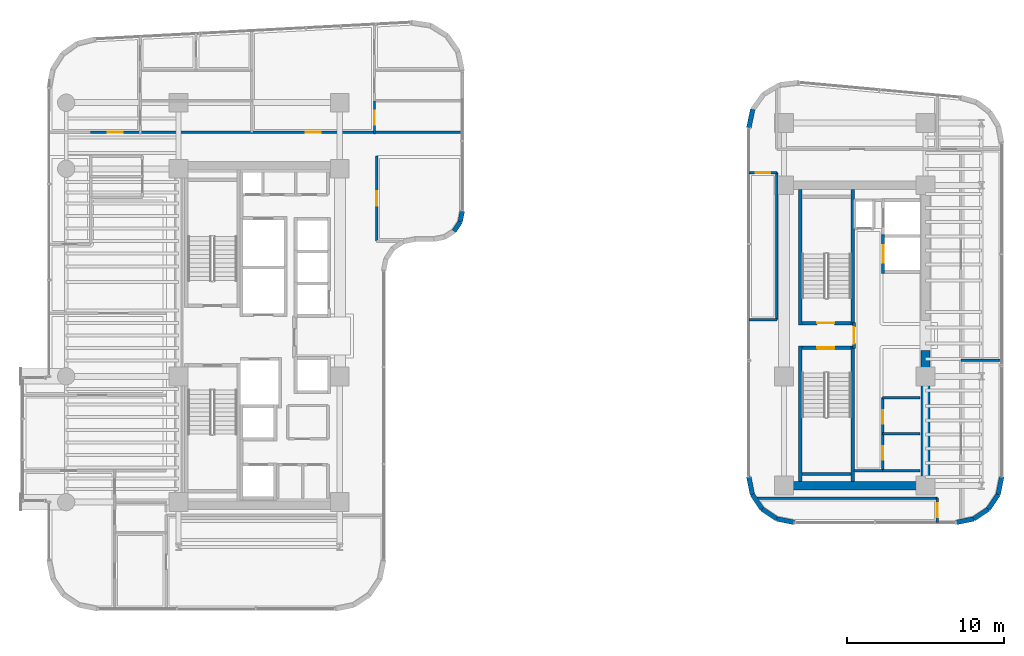
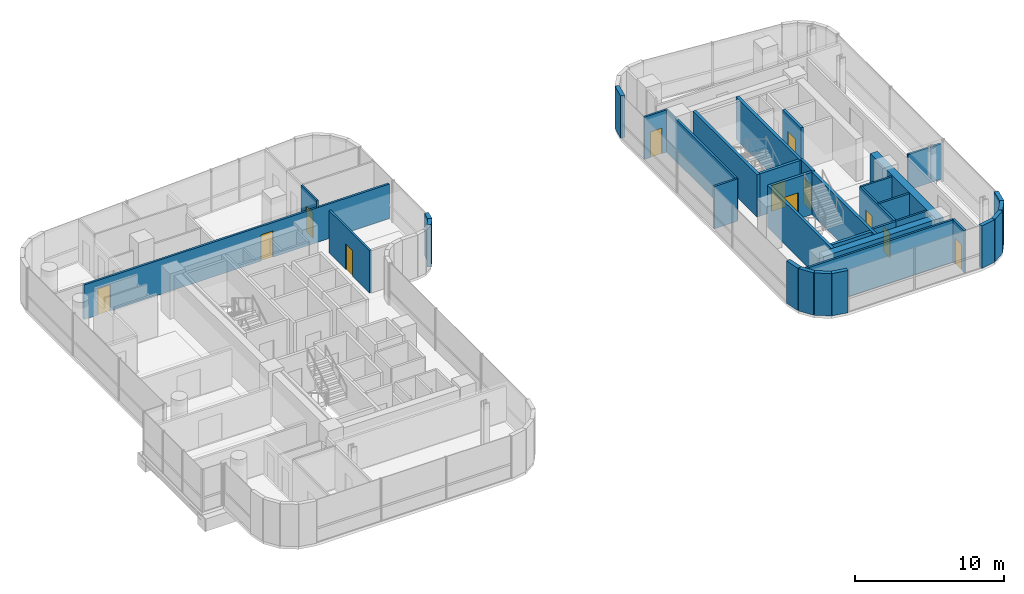
# One storey, part 28 of 34: 36 walls, 12 doors, 12 openings.
"""IFC4 building model written with IfcOpenShell, lengths in metres."""

from ifc_helpers import new_model, si_unit, direction, frame, frame_2d, origin, place, context, subcontext, project, spatial, rectangle, extrude, material, layer, layer_set, type_object, element, fill, save


model = new_model("IFC4")

# Units and contexts
model_context = context("Model", 3, precision=1e-05, world=origin(), true_north=direction((0.0, 1.0)))
body_context = subcontext(model_context, "Body", "Model", "MODEL_VIEW")
ifc_project = project(units=[si_unit("LENGTHUNIT", "METRE"), si_unit("AREAUNIT", "SQUARE_METRE"), si_unit("VOLUMEUNIT", "CUBIC_METRE"), si_unit("PLANEANGLEUNIT", "RADIAN"), si_unit("MASSUNIT", "GRAM", prefix="KILO")], contexts=[model_context])

# Site, building, storey
site_placement = place(None, origin())
site = spatial("IfcSite", under=ifc_project, at=site_placement, CompositionType="ELEMENT")
building_placement = place(site_placement, origin())
building = spatial("IfcBuilding", under=site, at=building_placement, Name="Valdorenza Pilgrim Sanctuary Tower", CompositionType="ELEMENT")
storey_placement = place(building_placement, frame((0.0, 0.0, 161.199951171875)))
storey = spatial("IfcBuildingStorey", under=building, at=storey_placement, Name="L41", CompositionType="ELEMENT", Elevation=161.199951171875)

# Wall
ifc_material_1 = material(Name="Acoustic twin-stud gypsum partition", Category="gypsum")
ifc_layer_1 = layer(ifc_material_1, 0.159912109375, Name="Acoustic twin-stud gypsum partition")
ifc_layer_set_1 = layer_set([ifc_layer_1], Name="Acoustic twin-stud gypsum partition")
wall_type_1 = type_object("IfcWallType", Name="WAL-COR-160", PredefinedType="PARTITIONING", material=ifc_layer_set_1)
wall_1_placement = place(storey_placement, frame((20.300048828125, -8.60009765625, 0.0), z_axis=(0.0, 0.0, 1.0), x_axis=(1.0, 0.0, 0.0)))
element("IfcWall", 1, at=wall_1_placement, inside=storey, type_object=wall_type_1, Name="L41 Core B Lift Hall South End Wall", PredefinedType="PARTITIONING", context=body_context, shape_type="SweptSolid", body=[
    extrude(rectangle(XDim=1.820068359375, YDim=0.159912109375, at=frame_2d((0.91015625, 0.0))), origin(), (0.0, 0.0, 1.0), 3.4599609375),
])

# Wall, openings, doors
wall_2_placement = place(storey_placement, frame((22.1201171875, -8.60009765625, 0.0), z_axis=(0.0, 0.0, 1.0), x_axis=(0.0, 1.0, 0.0)))
wall_2 = element("IfcWall", 2, at=wall_2_placement, inside=storey, type_object=wall_type_1, Name="L41 Core B Freed Shaft West Wall", PredefinedType="PARTITIONING", context=body_context, shape_type="SweptSolid", body=[
    extrude(rectangle(XDim=4.650146484375, YDim=0.159912109375, at=frame_2d((2.3251953125, 0.0))), origin(), (0.0, 0.0, 1.0), 3.4599609375),
])
opening_1_placement = place(wall_2_placement, frame((0.699951171875, 0.0, 0.0)))
opening_1 = element("IfcOpeningElement", 3, at=opening_1_placement, cuts=wall_2, Name="Opening DR-RS1", PredefinedType="OPENING", context=body_context, shape_type="SweptSolid", body=[
    extrude(rectangle(XDim=0.85009765625, YDim=2.050048828125, at=frame_2d((0.425048828125, 1.02490234375))), frame((0.0, 0.0947265625, 0.0), z_axis=(0.0, -1.0, 0.0), x_axis=(1.0, 0.0, 0.0)), (0.0, 0.0, 1.0), 0.189697265625),
])
opening_2_placement = place(wall_2_placement, frame((3.0, 0.0, 0.0)))
opening_2 = element("IfcOpeningElement", 4, at=opening_2_placement, cuts=wall_2, Name="Opening DR-RS1", PredefinedType="OPENING", context=body_context, shape_type="SweptSolid", body=[
    extrude(rectangle(XDim=0.85009765625, YDim=2.050048828125, at=frame_2d((0.425048828125, 1.02490234375))), frame((0.0, 0.0947265625, 0.0), z_axis=(0.0, -1.0, 0.0), x_axis=(1.0, 0.0, 0.0)), (0.0, 0.0, 1.0), 0.189697265625),
])
ifc_material_2 = material(Name="Painted galvanized steel", Category="steel")
door_type_1 = type_object("IfcDoorType", Name="DR-RSR-850", OperationType="NOTDEFINED", PredefinedType="DOOR", material=ifc_material_2)
door_1_placement = place(opening_1_placement, origin())
door_1 = element("IfcDoor", 5, at=door_1_placement, inside=storey, type_object=door_type_1, Name="L41 East Core Housekeeping Store Door", OperationType="SINGLE_SWING_LEFT", OverallHeight=2.050048828125, OverallWidth=0.85009765625, PredefinedType="DOOR", context=body_context, shape_type="SweptSolid", body=[
    extrude(rectangle(XDim=0.85009765625, YDim=2.050048828125, at=frame_2d((0.425048828125, 1.02490234375))), frame((0.0, 0.02490234375, 0.0), z_axis=(0.0, -1.0, 0.0), x_axis=(1.0, 0.0, 0.0)), (0.0, 0.0, 1.0), 0.050048828125),
])
fill(opening_1, door_1)
door_2_placement = place(opening_2_placement, origin())
door_2 = element("IfcDoor", 6, at=door_2_placement, inside=storey, type_object=door_type_1, Name="L41 East Core Tea Pantry Door", OperationType="SINGLE_SWING_RIGHT", OverallHeight=2.050048828125, OverallWidth=0.85009765625, PredefinedType="DOOR", context=body_context, shape_type="SweptSolid", body=[
    extrude(rectangle(XDim=0.85009765625, YDim=2.050048828125, at=frame_2d((0.425048828125, 1.02490234375))), frame((0.0, 0.02490234375, 0.0), z_axis=(0.0, -1.0, 0.0), x_axis=(1.0, 0.0, 0.0)), (0.0, 0.0, 1.0), 0.050048828125),
])
fill(opening_2, door_2)

# Wall
wall_3_placement = place(storey_placement, frame((22.1201171875, -6.25, 0.0), z_axis=(0.0, 0.0, 1.0), x_axis=(1.0, 0.0, 0.0)))
element("IfcWall", 7, at=wall_3_placement, inside=storey, type_object=wall_type_1, Name="L41 Core B Freed Split", PredefinedType="PARTITIONING", context=body_context, shape_type="SweptSolid", body=[
    extrude(rectangle(XDim=2.3798828125, YDim=0.159912109375, at=frame_2d((1.18994140625, 0.0))), origin(), (0.0, 0.0, 1.0), 3.4599609375),
])

# Wall, openings, doors
wall_4_placement = place(storey_placement, frame((-28.25, 12.919921875, 0.0), z_axis=(0.0, 0.0, 1.0), x_axis=(1.0, 0.0, 0.0)))
wall_4 = element("IfcWall", 8, at=wall_4_placement, inside=storey, type_object=wall_type_1, Name="L41 North Corridor Wall", PredefinedType="PARTITIONING", context=body_context, shape_type="SweptSolid", body=[
    extrude(rectangle(XDim=23.639892578125, YDim=0.159912109375, at=frame_2d((11.81982421875, 0.0))), origin(), (0.0, 0.0, 1.0), 2.833984375),
])
opening_3_placement = place(wall_4_placement, frame((1.10693359375, 0.0, 0.0)))
opening_3 = element("IfcOpeningElement", 9, at=opening_3_placement, cuts=wall_4, Name="Opening DR-UN1", PredefinedType="OPENING", context=body_context, shape_type="SweptSolid", body=[
    extrude(rectangle(XDim=0.949951171875, YDim=2.14990234375, at=frame_2d((0.47509765625, 1.074951171875))), frame((0.0, 0.0947265625, 0.0), z_axis=(0.0, -1.0, 0.0), x_axis=(1.0, 0.0, 0.0)), (0.0, 0.0, 1.0), 0.189697265625),
])
opening_4_placement = place(wall_4_placement, frame((13.679931640625, 0.0, 0.0)))
opening_4 = element("IfcOpeningElement", 10, at=opening_4_placement, cuts=wall_4, Name="Opening DR-UN1", PredefinedType="OPENING", context=body_context, shape_type="SweptSolid", body=[
    extrude(rectangle(XDim=0.949951171875, YDim=2.14990234375, at=frame_2d((0.47509765625, 1.074951171875))), frame((0.0, 0.0947265625, 0.0), z_axis=(0.0, -1.0, 0.0), x_axis=(1.0, 0.0, 0.0)), (0.0, 0.0, 1.0), 0.189697265625),
])
ifc_material_3 = material(Name="Solid-core European oak timber", Category="wood")
door_type_2 = type_object("IfcDoorType", Name="DR-UNIT-950", OperationType="NOTDEFINED", PredefinedType="DOOR", material=ifc_material_3)
door_3_placement = place(opening_3_placement, frame((0.949951171875, 0.0, 0.0), z_axis=(0.0, 0.0, 1.0), x_axis=(-1.0, 0.0, 0.0)))
door_3 = element("IfcDoor", 11, at=door_3_placement, inside=storey, type_object=door_type_2, Name="L41 North Family Flat L41-N1 Entrance Door", OperationType="SINGLE_SWING_LEFT", OverallHeight=2.14990234375, OverallWidth=0.949951171875, PredefinedType="DOOR", context=body_context, shape_type="SweptSolid", body=[
    extrude(rectangle(XDim=0.949951171875, YDim=2.14990234375, at=frame_2d((0.47509765625, 1.074951171875))), frame((0.0, 0.02490234375, 0.0), z_axis=(0.0, -1.0, 0.0), x_axis=(1.0, 0.0, 0.0)), (0.0, 0.0, 1.0), 0.050048828125),
])
fill(opening_3, door_3)
door_4_placement = place(opening_4_placement, origin())
door_4 = element("IfcDoor", 12, at=door_4_placement, inside=storey, type_object=door_type_2, Name="L41 North Family Flat L41-N2 Entrance Door", OperationType="SINGLE_SWING_RIGHT", OverallHeight=2.14990234375, OverallWidth=0.949951171875, PredefinedType="DOOR", context=body_context, shape_type="SweptSolid", body=[
    extrude(rectangle(XDim=0.949951171875, YDim=2.14990234375, at=frame_2d((0.47509765625, 1.074951171875))), frame((0.0, 0.02490234375, 0.0), z_axis=(0.0, -1.0, 0.0), x_axis=(1.0, 0.0, 0.0)), (0.0, 0.0, 1.0), 0.050048828125),
])
fill(opening_4, door_4)

# Wall, opening, door
wall_5_placement = place(storey_placement, frame((-10.050048828125, 6.0, 0.0), z_axis=(0.0, 0.0, 1.0), x_axis=(0.0, 1.0, 0.0)))
wall_5 = element("IfcWall", 13, at=wall_5_placement, inside=storey, type_object=wall_type_1, Name="L41 East Stub Corridor Wall", PredefinedType="PARTITIONING", context=body_context, shape_type="SweptSolid", body=[
    extrude(rectangle(XDim=5.419921875, YDim=0.159912109375, at=frame_2d((2.7099609375, 0.0))), origin(), (0.0, 0.0, 1.0), 3.4599609375),
])
opening_5_placement = place(wall_5_placement, frame((2.260009765625, 0.0, 0.0)))
opening_5 = element("IfcOpeningElement", 14, at=opening_5_placement, cuts=wall_5, Name="Opening DR-RM1", PredefinedType="OPENING", context=body_context, shape_type="SweptSolid", body=[
    extrude(rectangle(XDim=0.89990234375, YDim=2.10009765625, at=frame_2d((0.449951171875, 1.050048828125))), frame((0.0, 0.0947265625, 0.0), z_axis=(0.0, -1.0, 0.0), x_axis=(1.0, 0.0, 0.0)), (0.0, 0.0, 1.0), 0.189697265625),
])
door_type_3 = type_object("IfcDoorType", Name="DR-ROOM-900", OperationType="NOTDEFINED", PredefinedType="DOOR", material=ifc_material_3)
door_5_placement = place(opening_5_placement, origin())
door_5 = element("IfcDoor", 15, at=door_5_placement, inside=storey, type_object=door_type_3, Name="L41 Sacred Art Exhibition Gallery L41-E1 Door", OperationType="SINGLE_SWING_RIGHT", OverallHeight=2.10009765625, OverallWidth=0.89990234375, PredefinedType="DOOR", context=body_context, shape_type="SweptSolid", body=[
    extrude(rectangle(XDim=0.89990234375, YDim=2.10009765625, at=frame_2d((0.449951171875, 1.050048828125))), frame((0.0, 0.02490234375, 0.0), z_axis=(0.0, -1.0, 0.0), x_axis=(1.0, 0.0, 0.0)), (0.0, 0.0, 1.0), 0.050048828125),
])
fill(opening_5, door_5)

wall_6_placement = place(storey_placement, frame((25.60009765625, -11.889892578125, 0.0), z_axis=(0.0, 0.0, 1.0), x_axis=(0.0, 1.0, 0.0)))
wall_6 = element("IfcWall", 16, at=wall_6_placement, inside=storey, type_object=wall_type_1, Name="L41 Wing B South-East Wall", PredefinedType="PARTITIONING", context=body_context, shape_type="SweptSolid", body=[
    extrude(rectangle(XDim=1.539794921875, YDim=0.159912109375, at=frame_2d((0.77001953125, 0.0))), origin(), (0.0, 0.0, 1.0), 3.4599609375),
])
opening_6_placement = place(wall_6_placement, frame((0.320068359375, 0.0, 0.0)))
opening_6 = element("IfcOpeningElement", 17, at=opening_6_placement, cuts=wall_6, Name="Opening DR-RM1", PredefinedType="OPENING", context=body_context, shape_type="SweptSolid", body=[
    extrude(rectangle(XDim=0.89990234375, YDim=2.10009765625, at=frame_2d((0.449951171875, 1.050048828125))), frame((0.0, 0.0947265625, 0.0), z_axis=(0.0, -1.0, 0.0), x_axis=(1.0, 0.0, 0.0)), (0.0, 0.0, 1.0), 0.189697265625),
])
door_6_placement = place(opening_6_placement, origin())
door_6 = element("IfcDoor", 18, at=door_6_placement, inside=storey, type_object=door_type_3, Name="L41 Sacred Manuscript Archive L41-BS Door", OperationType="SINGLE_SWING_RIGHT", OverallHeight=2.10009765625, OverallWidth=0.89990234375, PredefinedType="DOOR", context=body_context, shape_type="SweptSolid", body=[
    extrude(rectangle(XDim=0.89990234375, YDim=2.10009765625, at=frame_2d((0.449951171875, 1.050048828125))), frame((0.0, 0.02490234375, 0.0), z_axis=(0.0, -1.0, 0.0), x_axis=(1.0, 0.0, 0.0)), (0.0, 0.0, 1.0), 0.050048828125),
])
fill(opening_6, door_6)

# Wall
wall_7_placement = place(storey_placement, frame((14.14599609375, -10.35009765625, 0.0), z_axis=(0.0, 0.0, 1.0), x_axis=(1.0, 0.0, 0.0)))
element("IfcWall", 19, at=wall_7_placement, inside=storey, type_object=wall_type_1, Name="L41 Wing B South Closure", PredefinedType="PARTITIONING", context=body_context, shape_type="SweptSolid", body=[
    extrude(rectangle(XDim=11.4541015625, YDim=0.159912109375, at=frame_2d((5.72705078125, 0.0))), origin(), (0.0, 0.0, 1.0), 3.4599609375),
])

# Wall, opening, door
wall_8_placement = place(storey_placement, frame((13.610107421875, 10.35009765625, 0.0), z_axis=(0.0, 0.0, 1.0), x_axis=(1.0, 0.0, 0.0)))
wall_8 = element("IfcWall", 20, at=wall_8_placement, inside=storey, type_object=wall_type_1, Name="L41 Courtyard Overlook North Wall", PredefinedType="PARTITIONING", context=body_context, shape_type="SweptSolid", body=[
    extrude(rectangle(XDim=1.789794921875, YDim=0.159912109375, at=frame_2d((0.89501953125, 0.0))), origin(), (0.0, 0.0, 1.0), 3.4599609375),
])
opening_7_placement = place(wall_8_placement, frame((0.449951171875, 0.0, 0.0)))
opening_7 = element("IfcOpeningElement", 21, at=opening_7_placement, cuts=wall_8, Name="Opening DR-RM1", PredefinedType="OPENING", context=body_context, shape_type="SweptSolid", body=[
    extrude(rectangle(XDim=0.89990234375, YDim=2.10009765625, at=frame_2d((0.449951171875, 1.050048828125))), frame((0.0, 0.0947265625, 0.0), z_axis=(0.0, -1.0, 0.0), x_axis=(1.0, 0.0, 0.0)), (0.0, 0.0, 1.0), 0.189697265625),
])
door_7_placement = place(opening_7_placement, origin())
door_7 = element("IfcDoor", 22, at=door_7_placement, inside=storey, type_object=door_type_3, Name="L41 Courtyard Overlook Salon Door", OperationType="SINGLE_SWING_RIGHT", OverallHeight=2.10009765625, OverallWidth=0.89990234375, PredefinedType="DOOR", context=body_context, shape_type="SweptSolid", body=[
    extrude(rectangle(XDim=0.89990234375, YDim=2.10009765625, at=frame_2d((0.449951171875, 1.050048828125))), frame((0.0, 0.02490234375, 0.0), z_axis=(0.0, -1.0, 0.0), x_axis=(1.0, 0.0, 0.0)), (0.0, 0.0, 1.0), 0.050048828125),
])
fill(opening_7, door_7)

# Walls
wall_9_placement = place(storey_placement, frame((15.39990234375, 1.0, 0.0), z_axis=(0.0, 0.0, 1.0), x_axis=(0.0, 1.0, 0.0)))
element("IfcWall", 23, at=wall_9_placement, inside=storey, type_object=wall_type_1, Name="L41 Courtyard Overlook East Wall", PredefinedType="PARTITIONING", context=body_context, shape_type="SweptSolid", body=[
    extrude(rectangle(XDim=9.35009765625, YDim=0.159912109375, at=frame_2d((4.675048828125, 0.0))), origin(), (0.0, 0.0, 1.0), 3.4599609375),
])
wall_10_placement = place(storey_placement, frame((13.610107421875, 1.0, 0.0), z_axis=(0.0, 0.0, 1.0), x_axis=(1.0, 0.0, 0.0)))
element("IfcWall", 24, at=wall_10_placement, inside=storey, type_object=wall_type_1, Name="L41 Courtyard Overlook South Wall", PredefinedType="PARTITIONING", context=body_context, shape_type="SweptSolid", body=[
    extrude(rectangle(XDim=1.789794921875, YDim=0.159912109375, at=frame_2d((0.89501953125, 0.0))), origin(), (0.0, 0.0, 1.0), 3.4599609375),
])
ifc_material_4 = material(Name="Concrete C50/60", Category="concrete")
ifc_layer_2 = layer(ifc_material_4, 0.550048828125, Name="Concrete C50/60")
ifc_layer_set_2 = layer_set([ifc_layer_2], Name="Concrete C50/60")
wall_type_2 = type_object("IfcWallType", Name="WAL-COR-550", PredefinedType="SHEAR", material=ifc_layer_set_2)
wall_11_placement = place(storey_placement, frame((24.85009765625, -9.824951171875, 0.0), z_axis=(0.0, 0.0, 1.0), x_axis=(0.0, 1.0, 0.0)))
element("IfcWall", 25, at=wall_11_placement, inside=storey, type_object=wall_type_2, Name="L41 Split Core B Shear Wall ES", PredefinedType="SHEAR", context=body_context, shape_type="SweptSolid", body=[
    extrude(rectangle(XDim=8.875, YDim=0.550048828125, at=frame_2d((4.4375, 0.0))), origin(), (0.0, 0.0, 1.0), 3.4599609375),
])
wall_12_placement = place(storey_placement, frame((15.85009765625, -9.550048828125, 0.0), z_axis=(0.0, 0.0, 1.0), x_axis=(1.0, 0.0, 0.0)))
element("IfcWall", 26, at=wall_12_placement, inside=storey, type_object=wall_type_2, Name="L41 Split Core B Shear Wall S", PredefinedType="SHEAR", context=body_context, shape_type="SweptSolid", body=[
    extrude(rectangle(XDim=9.0, YDim=0.550048828125, at=frame_2d((4.5, 0.0))), origin(), (0.0, 0.0, 1.0), 3.4599609375),
])
ifc_material_5 = material(Name="Honed travertine limestone", Category="masonry")
ifc_layer_3 = layer(ifc_material_5, 0.300048828125, Name="Honed travertine limestone")
ifc_layer_set_3 = layer_set([ifc_layer_3], Name="Honed travertine limestone")
wall_type_3 = type_object("IfcWallType", Name="WAL-EXT-300", PredefinedType="SOLIDWALL", material=ifc_layer_set_3)
wall_13_placement = place(storey_placement, frame((-4.610107421875, 7.910888671875, 0.0), z_axis=(0.0, 0.0, 1.0), x_axis=(-0.194989739953, -0.980805282058, 0.0)))
element("IfcWall", 27, at=wall_13_placement, inside=storey, type_object=wall_type_3, Name="L41 Rounded Wind-Corner Stone Pier 12", PredefinedType="SOLIDWALL", context=body_context, shape_type="SweptSolid", body=[
    extrude(rectangle(XDim=0.708740234375, YDim=0.300048828125, at=frame_2d((0.3544921875, 0.0))), origin(), (0.0, 0.0, 1.0), 3.4599609375),
])
wall_14_placement = place(storey_placement, frame((-4.748291015625, 7.2158203125, 0.0), z_axis=(0.0, 0.0, 1.0), x_axis=(-0.555426877366, -0.831565381614, 0.0)))
element("IfcWall", 28, at=wall_14_placement, inside=storey, type_object=wall_type_3, Name="L41 Rounded Wind-Corner Stone Pier 13", PredefinedType="SOLIDWALL", context=body_context, shape_type="SweptSolid", body=[
    extrude(rectangle(XDim=0.697509765625, YDim=0.300048828125, at=frame_2d((0.3486328125, 0.0))), origin(), (0.0, 0.0, 1.0), 3.4599609375),
])
wall_15_placement = place(storey_placement, frame((13.610107421875, 13.19970703125, 0.0), z_axis=(0.0, 0.0, 1.0), x_axis=(0.206133180315, 0.978523945529, 0.0)))
element("IfcWall", 29, at=wall_15_placement, inside=storey, type_object=wall_type_3, Name="L41 Rounded Wind-Corner Stone Pier 2", PredefinedType="SOLIDWALL", context=body_context, shape_type="SweptSolid", body=[
    extrude(rectangle(XDim=1.203369140625, YDim=0.300048828125, at=frame_2d((0.6015625, 0.0))), origin(), (0.0, 0.0, 1.0), 3.4599609375),
])
wall_16_placement = place(storey_placement, frame((29.68994140625, -8.9892578125, 0.0), z_axis=(0.0, 0.0, 1.0), x_axis=(-0.195043173023, -0.980794657743, 0.0)))
element("IfcWall", 30, at=wall_16_placement, inside=storey, type_object=wall_type_3, Name="L41 Rounded Wind-Corner Stone Pier 12", PredefinedType="SOLIDWALL", context=body_context, shape_type="SweptSolid", body=[
    extrude(rectangle(XDim=1.137939453125, YDim=0.300048828125, at=frame_2d((0.56884765625, 0.0))), origin(), (0.0, 0.0, 1.0), 3.4599609375),
])
for number, where, z_axis, x_axis, name in (
    (31, (29.468017578125, -10.105224609375, 0.0), (0.0, 0.0, 1.0), (-0.555599979619, -0.831449735491, 0.0), "L41 Rounded Wind-Corner Stone Pier 13"),
    (32, (28.842041015625, -11.0419921875, 0.0), (0.0, 0.0, 1.0), (-0.831449735491, -0.555599979619, 0.0), "L41 Rounded Wind-Corner Stone Pier 14"),
):
    element("IfcWall", number, at=place(storey_placement, frame(where, z_axis=z_axis, x_axis=x_axis)), inside=storey, type_object=wall_type_3, Name=name, PredefinedType="SOLIDWALL", context=body_context, shape_type="SweptSolid", body=[
        extrude(rectangle(XDim=1.126708984375, YDim=0.300048828125, at=frame_2d((0.5634765625, 0.0))), origin(), (0.0, 0.0, 1.0), 3.4599609375),
    ])
for number, where, z_axis, x_axis, name in (
    (33, (27.9052734375, -11.66796875, 0.0), (0.0, 0.0, 1.0), (-0.980794657743, -0.195043173023, 0.0), "L41 Rounded Wind-Corner Stone Pier 15"),
    (34, (16.5107421875, -11.889892578125, 0.0), (0.0, 0.0, 1.0), (-0.980794657743, 0.195043173023, 0.0), "L41 Rounded Wind-Corner Stone Pier 17"),
):
    element("IfcWall", number, at=place(storey_placement, frame(where, z_axis=z_axis, x_axis=x_axis)), inside=storey, type_object=wall_type_3, Name=name, PredefinedType="SOLIDWALL", context=body_context, shape_type="SweptSolid", body=[
        extrude(rectangle(XDim=1.137939453125, YDim=0.300048828125, at=frame_2d((0.56884765625, 0.0))), origin(), (0.0, 0.0, 1.0), 3.4599609375),
    ])
for number, where, z_axis, x_axis, name in (
    (35, (15.394775390625, -11.66796875, 0.0), (0.0, 0.0, 1.0), (-0.831449735491, 0.555599979619, 0.0), "L41 Rounded Wind-Corner Stone Pier 18"),
    (36, (14.4580078125, -11.0419921875, 0.0), (0.0, 0.0, 1.0), (-0.555599979619, 0.831449735491, 0.0), "L41 Rounded Wind-Corner Stone Pier 19"),
):
    element("IfcWall", number, at=place(storey_placement, frame(where, z_axis=z_axis, x_axis=x_axis)), inside=storey, type_object=wall_type_3, Name=name, PredefinedType="SOLIDWALL", context=body_context, shape_type="SweptSolid", body=[
        extrude(rectangle(XDim=1.126708984375, YDim=0.300048828125, at=frame_2d((0.5634765625, 0.0))), origin(), (0.0, 0.0, 1.0), 3.4599609375),
    ])
wall_17_placement = place(storey_placement, frame((13.83203125, -10.105224609375, 0.0), z_axis=(0.0, 0.0, 1.0), x_axis=(-0.195043173023, 0.980794657743, 0.0)))
element("IfcWall", 37, at=wall_17_placement, inside=storey, type_object=wall_type_3, Name="L41 Rounded Wind-Corner Stone Pier 20", PredefinedType="SOLIDWALL", context=body_context, shape_type="SweptSolid", body=[
    extrude(rectangle(XDim=1.137939453125, YDim=0.300048828125, at=frame_2d((0.56884765625, 0.0))), origin(), (0.0, 0.0, 1.0), 3.4599609375),
])

# Wall, opening, door
ifc_material_6 = material(Name="Gypsum shaftwall partition", Category="gypsum")
ifc_layer_4 = layer(ifc_material_6, 0.199951171875, Name="Gypsum shaftwall partition")
ifc_layer_set_4 = layer_set([ifc_layer_4], Name="Gypsum shaftwall partition")
wall_type_4 = type_object("IfcWallType", Name="WAL-FFL-200", PredefinedType="PARTITIONING", material=ifc_layer_set_4)
wall_18_placement = place(storey_placement, frame((20.300048828125, -0.820068359375, 0.0), z_axis=(0.0, 0.0, 1.0), x_axis=(0.0, 1.0, 0.0)))
wall_18 = element("IfcWall", 38, at=wall_18_placement, inside=storey, type_object=wall_type_4, Name="L41 Core B Firefighting Lobby East Wall", PredefinedType="PARTITIONING", context=body_context, shape_type="SweptSolid", body=[
    extrude(rectangle(XDim=1.64013671875, YDim=0.199951171875, at=frame_2d((0.820068359375, 0.0))), origin(), (0.0, 0.0, 1.0), 3.4599609375),
])
opening_8_placement = place(wall_18_placement, frame((0.294921875, 0.0, 0.0)))
opening_8 = element("IfcOpeningElement", 39, at=opening_8_placement, cuts=wall_18, Name="Opening DR-FL1", PredefinedType="OPENING", context=body_context, shape_type="SweptSolid", body=[
    extrude(rectangle(XDim=1.050048828125, YDim=2.14990234375, at=frame_2d((0.52490234375, 1.074951171875))), frame((0.0, 0.11474609375, 0.0), z_axis=(0.0, -1.0, 0.0), x_axis=(1.0, 0.0, 0.0)), (0.0, 0.0, 1.0), 0.229736328125),
])
door_type_4 = type_object("IfcDoorType", Name="DR-FFL-1050", OperationType="NOTDEFINED", PredefinedType="DOOR", material=ifc_material_2)
door_8_placement = place(opening_8_placement, frame((1.050048828125, 0.0, 0.0), z_axis=(0.0, 0.0, 1.0), x_axis=(-1.0, 0.0, 0.0)))
door_8 = element("IfcDoor", 40, at=door_8_placement, inside=storey, type_object=door_type_4, Name="L41 Core B Firefighting Lobby Door", OperationType="SINGLE_SWING_LEFT", OverallHeight=2.14990234375, OverallWidth=1.050048828125, PredefinedType="DOOR", context=body_context, shape_type="SweptSolid", body=[
    extrude(rectangle(XDim=1.050048828125, YDim=2.14990234375, at=frame_2d((0.52490234375, 1.074951171875))), frame((0.0, 0.02490234375, 0.0), z_axis=(0.0, -1.0, 0.0), x_axis=(1.0, 0.0, 0.0)), (0.0, 0.0, 1.0), 0.050048828125),
])
fill(opening_8, door_8)

ifc_material_7 = material(Name="Moisture-resistant gypsum partition", Category="gypsum")
ifc_layer_5 = layer(ifc_material_7, 0.1201171875, Name="Moisture-resistant gypsum partition")
ifc_layer_set_5 = layer_set([ifc_layer_5], Name="Moisture-resistant gypsum partition")
wall_type_5 = type_object("IfcWallType", Name="WAL-INT-120", PredefinedType="PARTITIONING", material=ifc_layer_set_5)
wall_19_placement = place(storey_placement, frame((-10.190673828125, 12.840087890625, 0.0), z_axis=(0.0, 0.0, 1.0), x_axis=(0.0, 1.0, 0.0)))
wall_19 = element("IfcWall", 41, at=wall_19_placement, inside=storey, type_object=wall_type_5, Name="L41 North Family Flat L41-N2 Kitchen Door Wall", PredefinedType="PARTITIONING", context=body_context, shape_type="SweptSolid", body=[
    extrude(rectangle(XDim=2.079833984375, YDim=0.1201171875, at=frame_2d((1.0400390625, 0.0))), origin(), (0.0, 0.0, 1.0), 3.4599609375),
])
opening_9_placement = place(wall_19_placement, frame((0.550048828125, 0.0, 0.0)))
opening_9 = element("IfcOpeningElement", 42, at=opening_9_placement, cuts=wall_19, Name="Opening DR-RM1", PredefinedType="OPENING", context=body_context, shape_type="SweptSolid", body=[
    extrude(rectangle(XDim=0.89990234375, YDim=2.10009765625, at=frame_2d((0.449951171875, 1.050048828125))), frame((0.0, 0.074951171875, 0.0), z_axis=(0.0, -1.0, 0.0), x_axis=(1.0, 0.0, 0.0)), (0.0, 0.0, 1.0), 0.14990234375),
])
door_9_placement = place(opening_9_placement, origin())
door_9 = element("IfcDoor", 43, at=door_9_placement, inside=storey, type_object=door_type_3, Name="L41 North Family Flat L41-N2 Kitchen Door", OperationType="SINGLE_SWING_RIGHT", OverallHeight=2.10009765625, OverallWidth=0.89990234375, PredefinedType="DOOR", context=body_context, shape_type="SweptSolid", body=[
    extrude(rectangle(XDim=0.89990234375, YDim=2.10009765625, at=frame_2d((0.449951171875, 1.050048828125))), frame((0.0, 0.02490234375, 0.0), z_axis=(0.0, -1.0, 0.0), x_axis=(1.0, 0.0, 0.0)), (0.0, 0.0, 1.0), 0.050048828125),
])
fill(opening_9, door_9)

ifc_material_8 = material(Name="Autoclaved aerated concrete blockwork", Category="masonry")
ifc_layer_6 = layer(ifc_material_8, 0.199951171875, Name="Autoclaved aerated concrete blockwork")
ifc_layer_set_6 = layer_set([ifc_layer_6], Name="Autoclaved aerated concrete blockwork")
wall_type_6 = type_object("IfcWallType", Name="WAL-SHF-200", PredefinedType="MOVABLE", material=ifc_layer_set_6)
wall_20_placement = place(storey_placement, frame((22.14990234375, 3.949951171875, 0.0), z_axis=(0.0, 0.0, 1.0), x_axis=(0.0, 1.0, 0.0)))
wall_20 = element("IfcWall", 44, at=wall_20_placement, inside=storey, type_object=wall_type_6, Name="L41 Lift PL-07 Hoistway Wall West", PredefinedType="MOVABLE", context=body_context, shape_type="SweptSolid", body=[
    extrude(rectangle(XDim=2.47509765625, YDim=0.199951171875, at=frame_2d((1.237548828125, 0.0))), origin(), (0.0, 0.0, 1.0), 3.4599609375),
])
opening_10_placement = place(wall_20_placement, frame((0.6875, 0.0, 0.0)))
opening_10 = element("IfcOpeningElement", 45, at=opening_10_placement, cuts=wall_20, Name="Opening LD-01", PredefinedType="OPENING", context=body_context, shape_type="SweptSolid", body=[
    extrude(rectangle(XDim=1.10009765625, YDim=2.10009765625, at=frame_2d((0.550048828125, 1.050048828125))), frame((0.0, 0.11474609375, 0.0), z_axis=(0.0, -1.0, 0.0), x_axis=(1.0, 0.0, 0.0)), (0.0, 0.0, 1.0), 0.229736328125),
])
ifc_material_9 = material(Name="Brushed stainless steel Grade 316", Category="steel")
door_type_5 = type_object("IfcDoorType", Name="DR-LFT-1100", OperationType="DOUBLE_DOOR_SLIDING", PredefinedType="DOOR", material=ifc_material_9)
door_10_placement = place(opening_10_placement, origin())
door_10 = element("IfcDoor", 46, at=door_10_placement, inside=storey, type_object=door_type_5, Name="L41 Lift PL-07 Sliding Landing Door", OperationType="DOUBLE_DOOR_SLIDING", OverallHeight=2.10009765625, OverallWidth=1.10009765625, PredefinedType="DOOR", context=body_context, shape_type="SweptSolid", body=[
    extrude(rectangle(XDim=1.10009765625, YDim=2.10009765625, at=frame_2d((0.550048828125, 1.050048828125))), frame((0.0, 0.02490234375, 0.0), z_axis=(0.0, -1.0, 0.0), x_axis=(1.0, 0.0, 0.0)), (0.0, 0.0, 1.0), 0.050048828125),
])
fill(opening_10, door_10)

# Walls
ifc_material_10 = material(Name="Concrete C40/50", Category="concrete")
ifc_layer_7 = layer(ifc_material_10, 0.219970703125, Name="Concrete C40/50")
ifc_layer_set_7 = layer_set([ifc_layer_7], Name="Concrete C40/50")
wall_type_7 = type_object("IfcWallType", Name="WAL-STR-SHF-220", PredefinedType="SHEAR", material=ifc_layer_set_7)
for number, where, z_axis, x_axis, name in (
    (47, (16.889892578125, 0.679931640625, 0.0), (0.0, 0.0, 1.0), (0.0, 1.0, 0.0), "L41 ST-B1 Structural Stairwell Wall W"),
    (48, (20.219970703125, 0.679931640625, 0.0), (0.0, 0.0, 1.0), (0.0, 1.0, 0.0), "L41 ST-B1 Structural Stairwell Wall E"),
):
    element("IfcWall", number, at=place(storey_placement, frame(where, z_axis=z_axis, x_axis=x_axis)), inside=storey, type_object=wall_type_7, Name=name, PredefinedType="SHEAR", context=body_context, shape_type="SweptSolid", body=[
        extrude(rectangle(XDim=8.594970703125, YDim=0.219970703125, at=frame_2d((4.29736328125, 0.0))), origin(), (0.0, 0.0, 1.0), 3.4599609375),
    ])

# Wall, opening, door
wall_21_placement = place(storey_placement, frame((17.0, 0.7900390625, 0.0), z_axis=(0.0, 0.0, 1.0), x_axis=(1.0, 0.0, 0.0)))
wall_21 = element("IfcWall", 49, at=wall_21_placement, inside=storey, type_object=wall_type_7, Name="L41 ST-B1 Structural Stairwell Wall S", PredefinedType="SHEAR", context=body_context, shape_type="SweptSolid", body=[
    extrude(rectangle(XDim=3.110107421875, YDim=0.219970703125, at=frame_2d((1.55517578125, 0.0))), origin(), (0.0, 0.0, 1.0), 3.4599609375),
])
opening_11_placement = place(wall_21_placement, frame((0.949951171875, 0.0, 0.0)))
opening_11 = element("IfcOpeningElement", 50, at=opening_11_placement, cuts=wall_21, Name="Opening DR-ST1", PredefinedType="OPENING", context=body_context, shape_type="SweptSolid", body=[
    extrude(rectangle(XDim=1.10009765625, YDim=2.14990234375, at=frame_2d((0.550048828125, 1.074951171875))), frame((0.0, 0.125, 0.0), z_axis=(0.0, -1.0, 0.0), x_axis=(1.0, 0.0, 0.0)), (0.0, 0.0, 1.0), 0.249755859375),
])
door_type_6 = type_object("IfcDoorType", Name="DR-STAIR-1100", OperationType="NOTDEFINED", PredefinedType="DOOR", material=ifc_material_2)
door_11_placement = place(opening_11_placement, origin())
door_11 = element("IfcDoor", 51, at=door_11_placement, inside=storey, type_object=door_type_6, Name="L41 Exit Stair ST-B1 Door", OperationType="SINGLE_SWING_RIGHT", OverallHeight=2.14990234375, OverallWidth=1.10009765625, PredefinedType="DOOR", context=body_context, shape_type="SweptSolid", body=[
    extrude(rectangle(XDim=1.10009765625, YDim=2.14990234375, at=frame_2d((0.550048828125, 1.074951171875))), frame((0.0, 0.02490234375, 0.0), z_axis=(0.0, -1.0, 0.0), x_axis=(1.0, 0.0, 0.0)), (0.0, 0.0, 1.0), 0.050048828125),
])
fill(opening_11, door_11)

# Walls
for number, where, z_axis, x_axis, name in (
    (52, (16.889892578125, -9.27490234375, 0.0), (0.0, 0.0, 1.0), (0.0, 1.0, 0.0), "L41 ST-B2 Structural Stairwell Wall W"),
    (53, (20.219970703125, -9.27490234375, 0.0), (0.0, 0.0, 1.0), (0.0, 1.0, 0.0), "L41 ST-B2 Structural Stairwell Wall E"),
):
    element("IfcWall", number, at=place(storey_placement, frame(where, z_axis=z_axis, x_axis=x_axis)), inside=storey, type_object=wall_type_7, Name=name, PredefinedType="SHEAR", context=body_context, shape_type="SweptSolid", body=[
        extrude(rectangle(XDim=8.594970703125, YDim=0.219970703125, at=frame_2d((4.29736328125, 0.0))), origin(), (0.0, 0.0, 1.0), 3.4599609375),
    ])
wall_22_placement = place(storey_placement, frame((17.0, -8.81005859375, 0.0), z_axis=(0.0, 0.0, 1.0), x_axis=(1.0, 0.0, 0.0)))
element("IfcWall", 54, at=wall_22_placement, inside=storey, type_object=wall_type_7, Name="L41 ST-B2 Structural Stairwell Wall S", PredefinedType="SHEAR", context=body_context, shape_type="SweptSolid", body=[
    extrude(rectangle(XDim=3.110107421875, YDim=0.219970703125, at=frame_2d((1.55517578125, 0.0))), origin(), (0.0, 0.0, 1.0), 3.4599609375),
])

# Wall, opening, door
wall_23_placement = place(storey_placement, frame((17.0, -0.7900390625, 0.0), z_axis=(0.0, 0.0, 1.0), x_axis=(1.0, 0.0, 0.0)))
wall_23 = element("IfcWall", 55, at=wall_23_placement, inside=storey, type_object=wall_type_7, Name="L41 ST-B2 Structural Stairwell Wall N", PredefinedType="SHEAR", context=body_context, shape_type="SweptSolid", body=[
    extrude(rectangle(XDim=3.110107421875, YDim=0.219970703125, at=frame_2d((1.55517578125, 0.0))), origin(), (0.0, 0.0, 1.0), 3.4599609375),
])
opening_12_placement = place(wall_23_placement, frame((0.949951171875, 0.0, 0.0)))
opening_12 = element("IfcOpeningElement", 56, at=opening_12_placement, cuts=wall_23, Name="Opening DR-ST1", PredefinedType="OPENING", context=body_context, shape_type="SweptSolid", body=[
    extrude(rectangle(XDim=1.10009765625, YDim=2.14990234375, at=frame_2d((0.550048828125, 1.074951171875))), frame((0.0, 0.125, 0.0), z_axis=(0.0, -1.0, 0.0), x_axis=(1.0, 0.0, 0.0)), (0.0, 0.0, 1.0), 0.249755859375),
])
door_12_placement = place(opening_12_placement, frame((1.10009765625, 0.0, 0.0), z_axis=(0.0, 0.0, 1.0), x_axis=(-1.0, 0.0, 0.0)))
door_12 = element("IfcDoor", 57, at=door_12_placement, inside=storey, type_object=door_type_6, Name="L41 Exit Stair ST-B2 Door", OperationType="SINGLE_SWING_LEFT", OverallHeight=2.14990234375, OverallWidth=1.10009765625, PredefinedType="DOOR", context=body_context, shape_type="SweptSolid", body=[
    extrude(rectangle(XDim=1.10009765625, YDim=2.14990234375, at=frame_2d((0.550048828125, 1.074951171875))), frame((0.0, 0.02490234375, 0.0), z_axis=(0.0, -1.0, 0.0), x_axis=(1.0, 0.0, 0.0)), (0.0, 0.0, 1.0), 0.050048828125),
])
fill(opening_12, door_12)

# Walls
ifc_layer_8 = layer(ifc_material_1, 0.14990234375, Name="Acoustic twin-stud gypsum partition")
ifc_layer_set_8 = layer_set([ifc_layer_8], Name="Acoustic twin-stud gypsum partition")
wall_type_8 = type_object("IfcWallType", Name="WAL-UNT-150", PredefinedType="PARTITIONING", material=ifc_layer_set_8)
for number, where, z_axis, x_axis, name in (
    (58, (22.1201171875, -3.949951171875, 0.0), (0.0, 0.0, 1.0), (1.0, 0.0, 0.0), "L41 Core B Freed Shaft North Wall"),
    (59, (22.1201171875, -8.60009765625, 0.0), (0.0, 0.0, 1.0), (1.0, 0.0, 0.0), "L41 Core B Freed Shaft South Wall"),
):
    element("IfcWall", number, at=place(storey_placement, frame(where, z_axis=z_axis, x_axis=x_axis)), inside=storey, type_object=wall_type_8, Name=name, PredefinedType="PARTITIONING", context=body_context, shape_type="SweptSolid", body=[
        extrude(rectangle(XDim=2.3798828125, YDim=0.14990234375, at=frame_2d((1.18994140625, 0.0))), origin(), (0.0, 0.0, 1.0), 3.4599609375),
    ])
wall_24_placement = place(storey_placement, frame((27.10009765625, -1.574951171875, 0.0), z_axis=(0.0, 0.0, 1.0), x_axis=(1.0, 0.0, 0.0)))
element("IfcWall", 60, at=wall_24_placement, inside=storey, type_object=wall_type_8, Name="L41 East Reading Lounge L41-EB2 Demising Wall", PredefinedType="PARTITIONING", context=body_context, shape_type="SweptSolid", body=[
    extrude(rectangle(XDim=2.58984375, YDim=0.14990234375, at=frame_2d((1.294921875, 0.0))), origin(), (0.0, 0.0, 1.0), 2.89599609375),
])

save(model, "model.ifc")
